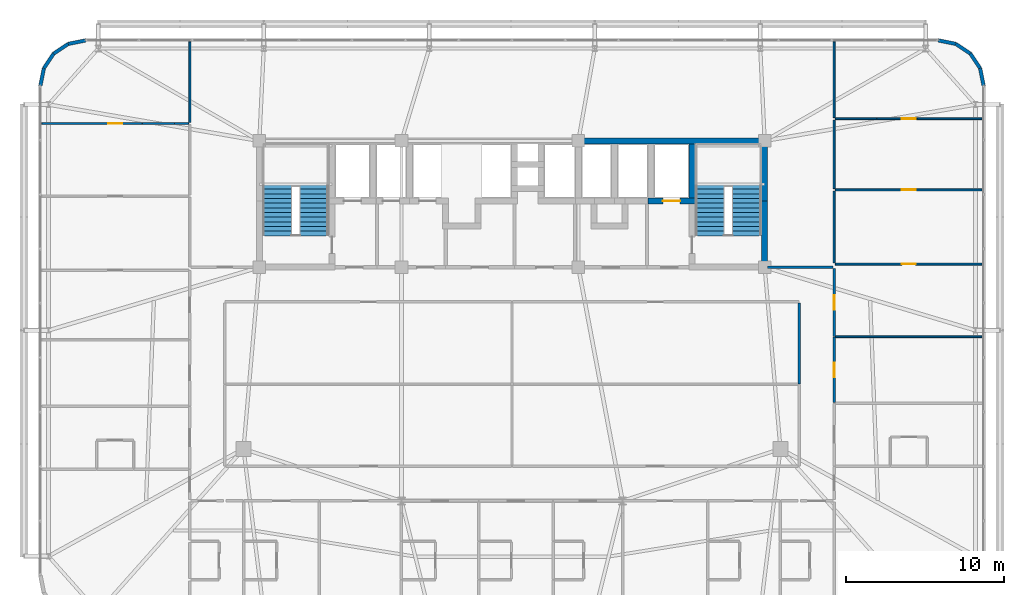
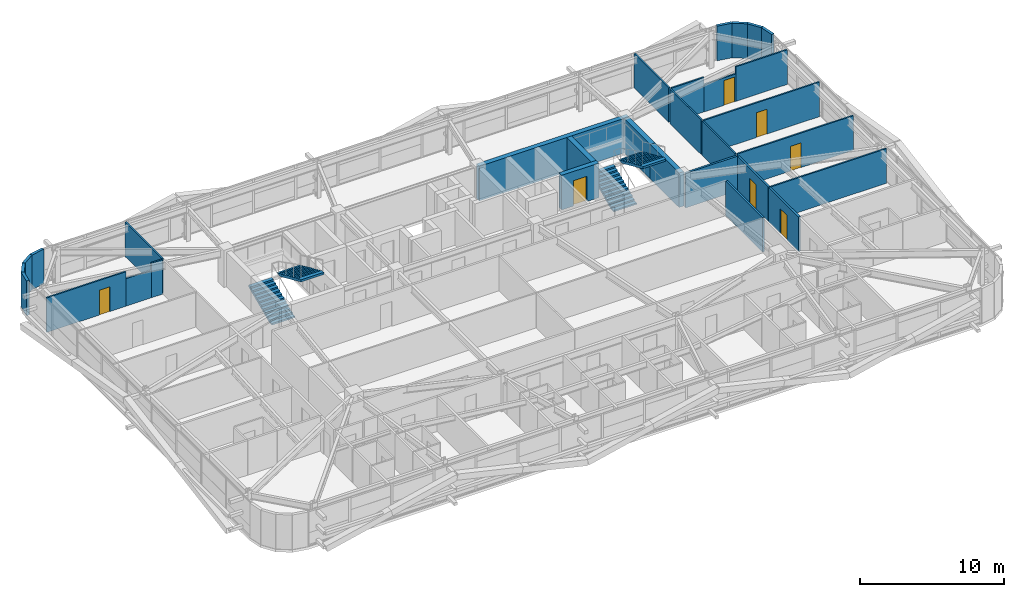
# One storey, part 56 of 59: 30 walls, 7 doors, 4 stair flights, 7 openings, 2 elements without a shape of their own.
"""IFC4 building model written with IfcOpenShell, lengths in metres."""

from ifc_helpers import new_model, si_unit, direction, frame, frame_2d, origin, place, context, subcontext, project, spatial, polyline, rectangle, outline, extrude, source, transform, mapped, material, layer, layer_set, type_object, element, fill, aggregate, save


model = new_model("IFC4")

# Units and contexts
model_context = context("Model", 3, precision=1e-05, world=origin(), true_north=direction((0.0, 1.0)))
body_context = subcontext(model_context, "Body", "Model", "MODEL_VIEW")
ifc_project = project(units=[si_unit("LENGTHUNIT", "METRE"), si_unit("AREAUNIT", "SQUARE_METRE"), si_unit("VOLUMEUNIT", "CUBIC_METRE"), si_unit("PLANEANGLEUNIT", "RADIAN"), si_unit("MASSUNIT", "GRAM", prefix="KILO")], contexts=[model_context])

# Site, building, storey
site_placement = place(None, origin())
site = spatial("IfcSite", under=ifc_project, at=site_placement, CompositionType="ELEMENT")
building_placement = place(site_placement, origin())
building = spatial("IfcBuilding", under=site, at=building_placement, Name="Taldren Reach Tower", CompositionType="ELEMENT")
storey_placement = place(building_placement, frame((0.0, 0.0, 23.10009765625)))
storey = spatial("IfcBuildingStorey", under=building, at=storey_placement, Name="L06", CompositionType="ELEMENT", Elevation=23.10009765625)

# Walls
ifc_material_1 = material(Name="Pale Champagne Anodised Aluminium Cladding", Category="aluminium")
ifc_layer_1 = layer(ifc_material_1, 0.04, Name="Pale Champagne Anodised Aluminium Cladding", Category="aluminium")
ifc_material_2 = material(Name="Mineral Wool Acoustic Insulation", Category="insulation")
ifc_layer_2 = layer(ifc_material_2, 0.06, Name="Mineral Wool Acoustic Insulation", Category="insulation")
ifc_material_3 = material(Name="Steel Gr 350 (C350L0)", Category="steel")
ifc_layer_3 = layer(ifc_material_3, 0.12, Name="Steel Gr 350 (C350L0)", Category="steel")
ifc_layer_set_1 = layer_set([ifc_layer_1, ifc_layer_2, ifc_layer_3], Name="Pale Champagne Aluminium Cladding and Steel Gr 350 Stud Framing")
wall_type_1 = type_object("IfcWallType", Name="EW-CRN-220", PredefinedType="SOLIDWALL", material=ifc_layer_set_1)
shared_shape_1 = source(origin(), body_context, "Body", "SweptSolid", [
    extrude(rectangle(XDim=1.115966796875, YDim=0.219970703125, at=frame_2d((0.55810546875, 0.0))), origin(), (0.0, 0.0, 1.0), 2.929931640625),
])
for number, where, z_axis, x_axis, name in (
    (1, (64.860107421875, 35.5, 0.0), (0.0, 0.0, 1.0), (-0.195148375659, 0.98077373103, 0.0), "Rounded-corner pale-metal facade wall L06-NE1"),
    (2, (64.642333984375, 36.594482421875, 0.0), (0.0, 0.0, 1.0), (-0.555709556774, 0.83137650226, 0.0), "Rounded-corner pale-metal facade wall L06-NE2"),
    (3, (64.022216796875, 37.522216796875, 0.0), (0.0, 0.0, 1.0), (-0.83137650226, 0.555709556774, 0.0), "Rounded-corner pale-metal facade wall L06-NE3"),
    (4, (63.094482421875, 38.142333984375, 0.0), (0.0, 0.0, 1.0), (-0.98077373103, 0.195148375659, 0.0), "Rounded-corner pale-metal facade wall L06-NE4"),
    (5, (8.0, 38.360107421875, 0.0), (0.0, 0.0, 1.0), (-0.98077373103, -0.195148375659, 0.0), "Rounded-corner pale-metal facade wall L06-NW1"),
    (6, (6.905517578125, 38.142333984375, 0.0), (0.0, 0.0, 1.0), (-0.83137650226, -0.555709556774, 0.0), "Rounded-corner pale-metal facade wall L06-NW2"),
    (7, (5.977783203125, 37.522216796875, 0.0), (0.0, 0.0, 1.0), (-0.555709556774, -0.83137650226, 0.0), "Rounded-corner pale-metal facade wall L06-NW3"),
    (8, (5.357666015625, 36.594482421875, 0.0), (0.0, 0.0, 1.0), (-0.195148375659, -0.98077373103, 0.0), "Rounded-corner pale-metal facade wall L06-NW4"),
):
    element("IfcWall", number, at=place(storey_placement, frame(where, z_axis=z_axis, x_axis=x_axis)), inside=storey, type_object=wall_type_1, Name=name, PredefinedType="SOLIDWALL", context=body_context, shape_type="MappedRepresentation", body=[
        mapped(shared_shape_1, transform((0.0, 0.0, 0.0), scale=1.0)),
    ])
ifc_material_4 = material(Name="Concrete S80 (80 MPa)", Category="concrete")
ifc_layer_4 = layer(ifc_material_4, 0.3798828125)
ifc_layer_set_2 = layer_set([ifc_layer_4], Name="Concrete S80 (80 MPa)")
wall_type_2 = type_object("IfcWallType", Name="IW-CORE-380", PredefinedType="SHEAR", material=ifc_layer_set_2)
shared_shape_2 = source(origin(), body_context, "Body", "SweptSolid", [
    extrude(rectangle(XDim=11.989990234375, YDim=0.3798828125, at=frame_2d((5.9951171875, 0.0))), origin(), (0.0, 0.0, 1.0), 2.929931640625),
])
wall_1_placement = place(storey_placement, frame((39.199951171875, 32.0, 0.0), z_axis=(0.0, 0.0, 1.0), x_axis=(1.0, 0.0, 0.0)))
element("IfcWall", 9, at=wall_1_placement, inside=storey, type_object=wall_type_2, Name="Rear Core Shear Wall W-CORE-L06-NORTH3", PredefinedType="SHEAR", context=body_context, shape_type="MappedRepresentation", body=[
    mapped(shared_shape_2, transform((0.0, 0.0, 0.0), scale=1.0)),
])
shared_shape_3 = source(origin(), body_context, "Body", "SweptSolid", [
    extrude(rectangle(XDim=4.010009765625, YDim=0.3798828125, at=frame_2d((2.0048828125, 0.0))), origin(), (0.0, 0.0, 1.0), 2.929931640625),
])
wall_2_placement = place(storey_placement, frame((51.0, 24.18994140625, 0.0), z_axis=(0.0, 0.0, 1.0), x_axis=(0.0, 1.0, 0.0)))
element("IfcWall", 10, at=wall_2_placement, inside=storey, type_object=wall_type_2, Name="Rear Core Shear Wall W-CORE-L06-EAST1", PredefinedType="SHEAR", context=body_context, shape_type="MappedRepresentation", body=[
    mapped(shared_shape_3, transform((0.0, 0.0, 0.0), scale=1.0)),
])
shared_shape_4 = source(origin(), body_context, "Body", "SweptSolid", [
    extrude(rectangle(XDim=3.610107421875, YDim=0.3798828125, at=frame_2d((1.80517578125, 0.0))), origin(), (0.0, 0.0, 1.0), 2.929931640625),
])
wall_3_placement = place(storey_placement, frame((51.0, 28.199951171875, 0.0), z_axis=(0.0, 0.0, 1.0), x_axis=(0.0, 1.0, 0.0)))
element("IfcWall", 11, at=wall_3_placement, inside=storey, type_object=wall_type_2, Name="Rear Core Shear Wall W-CORE-L06-EAST2", PredefinedType="SHEAR", context=body_context, shape_type="MappedRepresentation", body=[
    mapped(shared_shape_4, transform((0.0, 0.0, 0.0), scale=1.0)),
])
shared_shape_5 = source(origin(), body_context, "Body", "SweptSolid", [
    extrude(rectangle(XDim=3.420166015625, YDim=0.3798828125, at=frame_2d((1.7099609375, 0.0))), origin(), (0.0, 0.0, 1.0), 2.929931640625),
])
wall_4_placement = place(storey_placement, frame((46.39990234375, 31.81005859375, 0.0), z_axis=(0.0, 0.0, 1.0), x_axis=(0.0, -1.0, 0.0)))
element("IfcWall", 12, at=wall_4_placement, inside=storey, type_object=wall_type_2, Name="Rear Core Shear Wall W-INT-L06-008", PredefinedType="SHEAR", context=body_context, shape_type="MappedRepresentation", body=[
    mapped(shared_shape_5, transform((0.0, 0.0, 0.0), scale=1.0)),
])

# Wall, opening, door
shared_shape_6 = source(origin(), body_context, "Body", "SweptSolid", [
    extrude(rectangle(XDim=2.97998046875, YDim=0.3798828125, at=frame_2d((1.489990234375, 0.0))), origin(), (0.0, 0.0, 1.0), 2.929931640625),
])
wall_5_placement = place(storey_placement, frame((43.610107421875, 28.199951171875, 0.0), z_axis=(0.0, 0.0, 1.0), x_axis=(1.0, 0.0, 0.0)))
wall_5 = element("IfcWall", 13, at=wall_5_placement, inside=storey, type_object=wall_type_2, Name="Rear Core Shear Wall W-INT-L06-011", PredefinedType="SHEAR", context=body_context, shape_type="MappedRepresentation", body=[
    mapped(shared_shape_6, transform((0.0, 0.0, 0.0), scale=1.0)),
])
shared_shape_7 = source(origin(), body_context, "Body", "SweptSolid", [
    extrude(rectangle(XDim=1.10009765625, YDim=2.14990234375, at=frame_2d((0.550048828125, 1.074951171875))), frame((0.0, 0.199951171875, 0.0), z_axis=(0.0, -1.0, 0.0), x_axis=(1.0, 0.0, 0.0)), (0.0, 0.0, 1.0), 0.39990234375),
])
opening_1_placement = place(wall_5_placement, frame((0.93994140625, 0.0, 0.0)))
opening_1 = element("IfcOpeningElement", 14, at=opening_1_placement, cuts=wall_5, Name="Opening LD-FL2", PredefinedType="OPENING", context=body_context, shape_type="MappedRepresentation", body=[
    mapped(shared_shape_7, transform((0.0, 0.0, 0.0), scale=1.0)),
])
ifc_material_5 = material(Name="Stainless Steel Gr 316 Emergency Lift Landing Door", Category="steel")
door_type_1 = type_object("IfcDoorType", Name="LD-EMG-110", OperationType="SLIDING_TO_LEFT", PredefinedType="DOOR", material=ifc_material_5)
shared_shape_8 = source(origin(), body_context, "Body", "SweptSolid", [
    extrude(rectangle(XDim=1.10009765625, YDim=2.14990234375, at=frame_2d((0.550048828125, 1.074951171875))), frame((0.0, 0.02490234375, 0.0), z_axis=(0.0, -1.0, 0.0), x_axis=(1.0, 0.0, 0.0)), (0.0, 0.0, 1.0), 0.050048828125),
])
door_1_placement = place(opening_1_placement, origin())
door_1 = element("IfcDoor", 15, at=door_1_placement, inside=storey, type_object=door_type_1, Name="Lift Landing Door LD-FL2-L06", OperationType="SLIDING_TO_LEFT", OverallHeight=2.14990234375, OverallWidth=1.10009765625, PredefinedType="DOOR", context=body_context, shape_type="MappedRepresentation", body=[
    mapped(shared_shape_8, transform((0.0, 0.0, 0.0), scale=1.0)),
])
fill(opening_1, door_1)

# Walls
ifc_material_6 = material(Name="Fire-Rated Acoustic Plasterboard Stud Wall", Category="gypsum")
ifc_layer_5 = layer(ifc_material_6, 0.159912109375)
ifc_layer_set_3 = layer_set([ifc_layer_5], Name="Fire-Rated Acoustic Plasterboard Stud Wall")
wall_type_3 = type_object("IfcWallType", Name="IW-FIRE-160", PredefinedType="PARTITIONING", material=ifc_layer_set_3)
shared_shape_9 = source(origin(), body_context, "Body", "SweptSolid", [
    extrude(rectangle(XDim=4.130126953125, YDim=0.159912109375, at=frame_2d((2.06494140625, 0.0))), origin(), (0.0, 0.0, 1.0), 2.929931640625),
])
wall_6_placement = place(storey_placement, frame((51.18994140625, 24.0, 0.0), z_axis=(0.0, 0.0, 1.0), x_axis=(1.0, 0.0, 0.0)))
element("IfcWall", 16, at=wall_6_placement, inside=storey, type_object=wall_type_3, Name="Interior Partition Wall W-INT-L06-064", PredefinedType="PARTITIONING", context=body_context, shape_type="MappedRepresentation", body=[
    mapped(shared_shape_9, transform((0.0, 0.0, 0.0), scale=1.0)),
])
shared_shape_10 = source(origin(), body_context, "Body", "SweptSolid", [
    extrude(rectangle(XDim=5.099853515625, YDim=0.159912109375, at=frame_2d((2.5498046875, 0.0))), origin(), (0.0, 0.0, 1.0), 2.929931640625),
])
wall_7_placement = place(storey_placement, frame((53.199951171875, 16.6201171875, 0.0), z_axis=(0.0, 0.0, 1.0), x_axis=(0.0, 1.0, 0.0)))
element("IfcWall", 17, at=wall_7_placement, inside=storey, type_object=wall_type_3, Name="Interior Partition Wall W-INT-L06-052", PredefinedType="PARTITIONING", context=body_context, shape_type="MappedRepresentation", body=[
    mapped(shared_shape_10, transform((0.0, 0.0, 0.0), scale=1.0)),
])

# Wall, opening, door
shared_shape_11 = source(origin(), body_context, "Body", "SweptSolid", [
    extrude(rectangle(XDim=4.15966796875, YDim=0.159912109375, at=frame_2d((2.079833984375, 0.0))), origin(), (0.0, 0.0, 1.0), 2.929931640625),
])
wall_8_placement = place(storey_placement, frame((55.39990234375, 19.579833984375, 0.0), z_axis=(0.0, 0.0, 1.0), x_axis=(0.0, -1.0, 0.0)))
wall_8 = element("IfcWall", 18, at=wall_8_placement, inside=storey, type_object=wall_type_3, Name="Interior Partition Wall W-INT-L06-061", PredefinedType="PARTITIONING", context=body_context, shape_type="MappedRepresentation", body=[
    mapped(shared_shape_11, transform((0.0, 0.0, 0.0), scale=1.0)),
])
shared_shape_12 = source(origin(), body_context, "Body", "SweptSolid", [
    extrude(rectangle(XDim=0.919921875, YDim=2.10009765625, at=frame_2d((0.4599609375, 1.050048828125))), frame((0.0, 0.08984375, 0.0), z_axis=(0.0, -1.0, 0.0), x_axis=(1.0, 0.0, 0.0)), (0.0, 0.0, 1.0), 0.179931640625),
])
opening_2_placement = place(wall_8_placement, frame((1.619873046875, 0.0, 0.0)))
opening_2 = element("IfcOpeningElement", 19, at=opening_2_placement, cuts=wall_8, Name="Opening DI-092", PredefinedType="OPENING", context=body_context, shape_type="MappedRepresentation", body=[
    mapped(shared_shape_12, transform((0.0, 0.0, 0.0), scale=1.0)),
])
ifc_material_7 = material(Name="Solid-Core Timber Suite Door", Category="wood")
door_type_2 = type_object("IfcDoorType", Name="ID-INT-092", OperationType="NOTDEFINED", PredefinedType="DOOR", material=ifc_material_7)
shared_shape_13 = source(origin(), body_context, "Body", "SweptSolid", [
    extrude(rectangle(XDim=0.919921875, YDim=2.10009765625, at=frame_2d((0.4599609375, 1.050048828125))), frame((0.0, 0.02490234375, 0.0), z_axis=(0.0, -1.0, 0.0), x_axis=(1.0, 0.0, 0.0)), (0.0, 0.0, 1.0), 0.050048828125),
])
door_2_placement = place(opening_2_placement, origin())
door_2 = element("IfcDoor", 20, at=door_2_placement, inside=storey, type_object=door_type_2, Name="Interior Door DR-L06-019", OperationType="SINGLE_SWING_RIGHT", OverallHeight=2.10009765625, OverallWidth=0.919921875, PredefinedType="DOOR", context=body_context, shape_type="MappedRepresentation", body=[
    mapped(shared_shape_13, transform((0.0, 0.0, 0.0), scale=1.0)),
])
fill(opening_2, door_2)

shared_shape_14 = source(origin(), body_context, "Body", "SweptSolid", [
    extrude(rectangle(XDim=4.2998046875, YDim=0.159912109375, at=frame_2d((2.14990234375, 0.0))), origin(), (0.0, 0.0, 1.0), 2.929931640625),
])
wall_9_placement = place(storey_placement, frame((55.39990234375, 23.919921875, 0.0), z_axis=(0.0, 0.0, 1.0), x_axis=(0.0, -1.0, 0.0)))
wall_9 = element("IfcWall", 21, at=wall_9_placement, inside=storey, type_object=wall_type_3, Name="Interior Partition Wall W-INT-L06-062", PredefinedType="PARTITIONING", context=body_context, shape_type="MappedRepresentation", body=[
    mapped(shared_shape_14, transform((0.0, 0.0, 0.0), scale=1.0)),
])
opening_3_placement = place(wall_9_placement, frame((1.68994140625, 0.0, 0.0)))
opening_3 = element("IfcOpeningElement", 22, at=opening_3_placement, cuts=wall_9, Name="Opening DI-092", PredefinedType="OPENING", context=body_context, shape_type="MappedRepresentation", body=[
    mapped(shared_shape_12, transform((0.0, 0.0, 0.0), scale=1.0)),
])
door_3_placement = place(opening_3_placement, origin())
door_3 = element("IfcDoor", 23, at=door_3_placement, inside=storey, type_object=door_type_2, Name="Interior Door DR-L06-020", OperationType="SINGLE_SWING_LEFT", OverallHeight=2.10009765625, OverallWidth=0.919921875, PredefinedType="DOOR", context=body_context, shape_type="MappedRepresentation", body=[
    mapped(shared_shape_13, transform((0.0, 0.0, 0.0), scale=1.0)),
])
fill(opening_3, door_3)

# Wall
ifc_material_8 = material(Name="Insulated Residential Stud Partition", Category="gypsum")
ifc_layer_6 = layer(ifc_material_8, 0.1201171875)
ifc_layer_set_4 = layer_set([ifc_layer_6], Name="Insulated Residential Stud Partition")
wall_type_4 = type_object("IfcWallType", Name="IW-PART-120", PredefinedType="PARTITIONING", material=ifc_layer_set_4)
shared_shape_15 = source(origin(), body_context, "Body", "SweptSolid", [
    extrude(rectangle(XDim=9.2900390625, YDim=0.1201171875, at=frame_2d((4.64501953125, 0.0))), origin(), (0.0, 0.0, 1.0), 2.929931640625),
])
wall_10_placement = place(storey_placement, frame((55.47998046875, 19.60009765625, 0.0), z_axis=(0.0, 0.0, 1.0), x_axis=(1.0, 0.0, 0.0)))
element("IfcWall", 24, at=wall_10_placement, inside=storey, type_object=wall_type_4, Name="Interior Partition Wall W-INT-L06-146", PredefinedType="PARTITIONING", context=body_context, shape_type="MappedRepresentation", body=[
    mapped(shared_shape_15, transform((0.0, 0.0, 0.0), scale=1.0)),
])

# Wall, opening, door
wall_11_placement = place(storey_placement, frame((55.47998046875, 24.199951171875, 0.0), z_axis=(0.0, 0.0, 1.0), x_axis=(1.0, 0.0, 0.0)))
wall_11 = element("IfcWall", 25, at=wall_11_placement, inside=storey, type_object=wall_type_4, Name="Interior Partition Wall W-INT-L06-147", PredefinedType="PARTITIONING", context=body_context, shape_type="MappedRepresentation", body=[
    mapped(shared_shape_15, transform((0.0, 0.0, 0.0), scale=1.0)),
])
shared_shape_16 = source(origin(), body_context, "Body", "SweptSolid", [
    extrude(rectangle(XDim=0.860107421875, YDim=2.10009765625, at=frame_2d((0.43017578125, 1.050048828125))), frame((0.0, 0.070068359375, 0.0), z_axis=(0.0, -1.0, 0.0), x_axis=(1.0, 0.0, 0.0)), (0.0, 0.0, 1.0), 0.14013671875),
])
opening_4_placement = place(wall_11_placement, frame((4.215087890625, 0.0, 0.0)))
opening_4 = element("IfcOpeningElement", 26, at=opening_4_placement, cuts=wall_11, Name="Opening DI-086", PredefinedType="OPENING", context=body_context, shape_type="MappedRepresentation", body=[
    mapped(shared_shape_16, transform((0.0, 0.0, 0.0), scale=1.0)),
])
ifc_material_9 = material(Name="Timber Bathroom Door", Category="wood")
door_type_3 = type_object("IfcDoorType", Name="ID-INT-086", OperationType="NOTDEFINED", PredefinedType="DOOR", material=ifc_material_9)
shared_shape_17 = source(origin(), body_context, "Body", "SweptSolid", [
    extrude(rectangle(XDim=0.860107421875, YDim=2.10009765625, at=frame_2d((0.43017578125, 1.050048828125))), frame((0.0, 0.02490234375, 0.0), z_axis=(0.0, -1.0, 0.0), x_axis=(1.0, 0.0, 0.0)), (0.0, 0.0, 1.0), 0.050048828125),
])
door_4_placement = place(opening_4_placement, frame((0.860107421875, 0.0, 0.0), z_axis=(0.0, 0.0, 1.0), x_axis=(-1.0, 0.0, 0.0)))
door_4 = element("IfcDoor", 27, at=door_4_placement, inside=storey, type_object=door_type_3, Name="Interior Door DR-L06-043", OperationType="SINGLE_SWING_LEFT", OverallHeight=2.10009765625, OverallWidth=0.860107421875, PredefinedType="DOOR", context=body_context, shape_type="MappedRepresentation", body=[
    mapped(shared_shape_17, transform((0.0, 0.0, 0.0), scale=1.0)),
])
fill(opening_4, door_4)

wall_12_placement = place(storey_placement, frame((55.47998046875, 28.89990234375, 0.0), z_axis=(0.0, 0.0, 1.0), x_axis=(1.0, 0.0, 0.0)))
wall_12 = element("IfcWall", 28, at=wall_12_placement, inside=storey, type_object=wall_type_4, Name="Interior Partition Wall W-INT-L06-148", PredefinedType="PARTITIONING", context=body_context, shape_type="MappedRepresentation", body=[
    mapped(shared_shape_15, transform((0.0, 0.0, 0.0), scale=1.0)),
])
opening_5_placement = place(wall_12_placement, frame((4.215087890625, 0.0, 0.0)))
opening_5 = element("IfcOpeningElement", 29, at=opening_5_placement, cuts=wall_12, Name="Opening DI-086", PredefinedType="OPENING", context=body_context, shape_type="MappedRepresentation", body=[
    mapped(shared_shape_16, transform((0.0, 0.0, 0.0), scale=1.0)),
])
door_5_placement = place(opening_5_placement, origin())
door_5 = element("IfcDoor", 30, at=door_5_placement, inside=storey, type_object=door_type_3, Name="Interior Door DR-L06-044", OperationType="SINGLE_SWING_LEFT", OverallHeight=2.10009765625, OverallWidth=0.860107421875, PredefinedType="DOOR", context=body_context, shape_type="MappedRepresentation", body=[
    mapped(shared_shape_17, transform((0.0, 0.0, 0.0), scale=1.0)),
])
fill(opening_5, door_5)

shared_shape_18 = source(origin(), body_context, "Body", "SweptSolid", [
    extrude(rectangle(XDim=6.365478515625, YDim=0.1201171875, at=frame_2d((3.1826171875, 0.0))), origin(), (0.0, 0.0, 1.0), 2.929931640625),
])
wall_13_placement = place(storey_placement, frame((5.22998046875, 33.10009765625, 0.0), z_axis=(0.0, 0.0, 1.0), x_axis=(1.0, 0.0, 0.0)))
wall_13 = element("IfcWall", 31, at=wall_13_placement, inside=storey, type_object=wall_type_4, Name="Interior Partition Wall W-INT-L06-136", PredefinedType="PARTITIONING", context=body_context, shape_type="MappedRepresentation", body=[
    mapped(shared_shape_18, transform((0.0, 0.0, 0.0), scale=1.0)),
])
opening_6_placement = place(wall_13_placement, frame((4.215087890625, 0.0, 0.0)))
opening_6 = element("IfcOpeningElement", 32, at=opening_6_placement, cuts=wall_13, Name="Opening DI-086", PredefinedType="OPENING", context=body_context, shape_type="MappedRepresentation", body=[
    mapped(shared_shape_16, transform((0.0, 0.0, 0.0), scale=1.0)),
])
door_6_placement = place(opening_6_placement, frame((0.860107421875, 0.0, 0.0), z_axis=(0.0, 0.0, 1.0), x_axis=(-1.0, 0.0, 0.0)))
door_6 = element("IfcDoor", 33, at=door_6_placement, inside=storey, type_object=door_type_3, Name="Interior Door DR-L06-042", OperationType="SINGLE_SWING_RIGHT", OverallHeight=2.10009765625, OverallWidth=0.860107421875, PredefinedType="DOOR", context=body_context, shape_type="MappedRepresentation", body=[
    mapped(shared_shape_17, transform((0.0, 0.0, 0.0), scale=1.0)),
])
fill(opening_6, door_6)

# Walls
shared_shape_19 = source(origin(), body_context, "Body", "SweptSolid", [
    extrude(rectangle(XDim=0.885009765625, YDim=0.1201171875, at=frame_2d((0.4423828125, 0.0))), origin(), (0.0, 0.0, 1.0), 2.929931640625),
])
wall_14_placement = place(storey_placement, frame((13.635009765625, 33.10009765625, 0.0), z_axis=(0.0, 0.0, 1.0), x_axis=(1.0, 0.0, 0.0)))
element("IfcWall", 34, at=wall_14_placement, inside=storey, type_object=wall_type_4, Name="Interior Partition Wall W-INT-L06-136 part 3", PredefinedType="PARTITIONING", context=body_context, shape_type="MappedRepresentation", body=[
    mapped(shared_shape_19, transform((0.0, 0.0, 0.0), scale=1.0)),
])
shared_shape_20 = source(origin(), body_context, "Body", "SweptSolid", [
    extrude(rectangle(XDim=5.090087890625, YDim=0.1201171875, at=frame_2d((2.544921875, 0.0))), origin(), (0.0, 0.0, 1.0), 2.929931640625),
])
wall_15_placement = place(storey_placement, frame((14.60009765625, 38.27001953125, 0.0), z_axis=(0.0, 0.0, 1.0), x_axis=(0.0, -1.0, 0.0)))
element("IfcWall", 35, at=wall_15_placement, inside=storey, type_object=wall_type_4, Name="Interior Partition Wall W-INT-L06-138", PredefinedType="PARTITIONING", context=body_context, shape_type="MappedRepresentation", body=[
    mapped(shared_shape_20, transform((0.0, 0.0, 0.0), scale=1.0)),
])
shared_shape_21 = source(origin(), body_context, "Body", "SweptSolid", [
    extrude(rectangle(XDim=4.5400390625, YDim=0.1201171875, at=frame_2d((2.27001953125, 0.0))), origin(), (0.0, 0.0, 1.0), 2.929931640625),
])
wall_16_placement = place(storey_placement, frame((55.39990234375, 24.280029296875, 0.0), z_axis=(0.0, 0.0, 1.0), x_axis=(0.0, 1.0, 0.0)))
element("IfcWall", 36, at=wall_16_placement, inside=storey, type_object=wall_type_4, Name="Interior Partition Wall W-INT-L06-149", PredefinedType="PARTITIONING", context=body_context, shape_type="MappedRepresentation", body=[
    mapped(shared_shape_21, transform((0.0, 0.0, 0.0), scale=1.0)),
])
shared_shape_22 = source(origin(), body_context, "Body", "SweptSolid", [
    extrude(rectangle(XDim=2.62646484375, YDim=0.1201171875, at=frame_2d((1.313232421875, 0.0))), origin(), (0.0, 0.0, 1.0), 2.929931640625),
])
wall_17_placement = place(storey_placement, frame((55.47998046875, 33.39990234375, 0.0), z_axis=(0.0, 0.0, 1.0), x_axis=(1.0, 0.0, 0.0)))
element("IfcWall", 37, at=wall_17_placement, inside=storey, type_object=wall_type_4, Name="Interior Partition Wall W-INT-L06-150", PredefinedType="PARTITIONING", context=body_context, shape_type="MappedRepresentation", body=[
    mapped(shared_shape_22, transform((0.0, 0.0, 0.0), scale=1.0)),
])
shared_shape_23 = source(origin(), body_context, "Body", "SweptSolid", [
    extrude(rectangle(XDim=4.114990234375, YDim=0.1201171875, at=frame_2d((2.0576171875, 0.0))), origin(), (0.0, 0.0, 1.0), 2.929931640625),
])
wall_18_placement = place(storey_placement, frame((60.655029296875, 33.39990234375, 0.0), z_axis=(0.0, 0.0, 1.0), x_axis=(1.0, 0.0, 0.0)))
element("IfcWall", 38, at=wall_18_placement, inside=storey, type_object=wall_type_4, Name="Interior Partition Wall W-INT-L06-150 part 3", PredefinedType="PARTITIONING", context=body_context, shape_type="MappedRepresentation", body=[
    mapped(shared_shape_23, transform((0.0, 0.0, 0.0), scale=1.0)),
])
shared_shape_24 = source(origin(), body_context, "Body", "SweptSolid", [
    extrude(rectangle(XDim=4.340087890625, YDim=0.1201171875, at=frame_2d((2.169921875, 0.0))), origin(), (0.0, 0.0, 1.0), 2.929931640625),
])
wall_19_placement = place(storey_placement, frame((55.39990234375, 28.97998046875, 0.0), z_axis=(0.0, 0.0, 1.0), x_axis=(0.0, 1.0, 0.0)))
element("IfcWall", 39, at=wall_19_placement, inside=storey, type_object=wall_type_4, Name="Interior Partition Wall W-INT-L06-151", PredefinedType="PARTITIONING", context=body_context, shape_type="MappedRepresentation", body=[
    mapped(shared_shape_24, transform((0.0, 0.0, 0.0), scale=1.0)),
])
shared_shape_25 = source(origin(), body_context, "Body", "SweptSolid", [
    extrude(rectangle(XDim=4.7900390625, YDim=0.1201171875, at=frame_2d((2.39501953125, 0.0))), origin(), (0.0, 0.0, 1.0), 2.929931640625),
])
wall_20_placement = place(storey_placement, frame((55.39990234375, 33.47998046875, 0.0), z_axis=(0.0, 0.0, 1.0), x_axis=(0.0, 1.0, 0.0)))
element("IfcWall", 40, at=wall_20_placement, inside=storey, type_object=wall_type_4, Name="Interior Partition Wall W-INT-L06-152", PredefinedType="PARTITIONING", context=body_context, shape_type="MappedRepresentation", body=[
    mapped(shared_shape_25, transform((0.0, 0.0, 0.0), scale=1.0)),
])
shared_shape_26 = source(origin(), body_context, "Body", "SweptSolid", [
    extrude(rectangle(XDim=2.03955078125, YDim=0.1201171875, at=frame_2d((1.019775390625, 0.0))), origin(), (0.0, 0.0, 1.0), 2.327880859375),
])
wall_21_placement = place(storey_placement, frame((11.595458984375, 33.10009765625, 0.0), z_axis=(0.0, 0.0, 1.0), x_axis=(1.0, 0.0, 0.0)))
element("IfcWall", 41, at=wall_21_placement, inside=storey, type_object=wall_type_4, Name="Interior Partition Wall W-INT-L06-136 part 2", PredefinedType="PARTITIONING", context=body_context, shape_type="MappedRepresentation", body=[
    mapped(shared_shape_26, transform((0.0, 0.0, 0.0), scale=1.0)),
])

# Wall, opening, door
shared_shape_27 = source(origin(), body_context, "Body", "SweptSolid", [
    extrude(rectangle(XDim=2.548583984375, YDim=0.1201171875, at=frame_2d((1.2744140625, 0.0))), origin(), (0.0, 0.0, 1.0), 2.327880859375),
])
wall_22_placement = place(storey_placement, frame((58.1064453125, 33.39990234375, 0.0), z_axis=(0.0, 0.0, 1.0), x_axis=(1.0, 0.0, 0.0)))
wall_22 = element("IfcWall", 42, at=wall_22_placement, inside=storey, type_object=wall_type_4, Name="Interior Partition Wall W-INT-L06-150 part 2", PredefinedType="PARTITIONING", context=body_context, shape_type="MappedRepresentation", body=[
    mapped(shared_shape_27, transform((0.0, 0.0, 0.0), scale=1.0)),
])
opening_7_placement = place(wall_22_placement, frame((1.588623046875, 0.0, 0.0)))
opening_7 = element("IfcOpeningElement", 43, at=opening_7_placement, cuts=wall_22, Name="Opening DI-086", PredefinedType="OPENING", context=body_context, shape_type="MappedRepresentation", body=[
    mapped(shared_shape_16, transform((0.0, 0.0, 0.0), scale=1.0)),
])
door_7_placement = place(opening_7_placement, frame((0.860107421875, 0.0, 0.0), z_axis=(0.0, 0.0, 1.0), x_axis=(-1.0, 0.0, 0.0)))
door_7 = element("IfcDoor", 44, at=door_7_placement, inside=storey, type_object=door_type_3, Name="Interior Door DR-L06-045", OperationType="SINGLE_SWING_LEFT", OverallHeight=2.10009765625, OverallWidth=0.860107421875, PredefinedType="DOOR", context=body_context, shape_type="MappedRepresentation", body=[
    mapped(shared_shape_17, transform((0.0, 0.0, 0.0), scale=1.0)),
])
fill(opening_7, door_7)

# Stair, stair flights
ifc_material_10 = material(Name="Concrete S50 (50 MPa)", Category="concrete")
stair_type = type_object("IfcStairType", Name="ST-HT-315", PredefinedType="HALF_TURN_STAIR", material=ifc_material_10)
stair_1_placement = place(storey_placement, origin())
stair_1 = element("IfcStair", 45, at=stair_1_placement, inside=storey, type_object=stair_type, Name="Fire-isolated exit stair ST1 L06", PredefinedType="HALF_TURN_STAIR")
stair_flight_type = type_object("IfcStairFlightType", Name="SF-STR-315", PredefinedType="STRAIGHT", material=ifc_material_10)
stair_flight_1_placement = place(storey_placement, frame((20.139892578125, 25.989990234375, 0.0), z_axis=(0.0, 0.0, 1.0), x_axis=(0.0, 1.0, 0.0)))
stair_flight_1 = element("IfcStairFlight", 46, at=stair_flight_1_placement, type_object=stair_flight_type, Name="ST1 flight 1", NumberOfRisers=12, NumberOfTreads=11, PredefinedType="STRAIGHT", RiserHeight=0.13125, TreadLength=0.295, context=body_context, shape_type="SweptSolid", body=[
    extrude(outline(polyline([(0.0, 0.0), (0.0, 0.13134765625), (0.294921875, 0.13134765625), (0.294921875, 0.262451171875), (0.590087890625, 0.262451171875), (0.590087890625, 0.393798828125), (0.885009765625, 0.393798828125), (0.885009765625, 0.52490234375), (1.179931640625, 0.52490234375), (1.179931640625, 0.65625), (1.47509765625, 0.65625), (1.47509765625, 0.78759765625), (1.77001953125, 0.78759765625), (1.77001953125, 0.918701171875), (2.06494140625, 0.918701171875), (2.06494140625, 1.050048828125), (2.360107421875, 1.050048828125), (2.360107421875, 1.18115234375), (2.655029296875, 1.18115234375), (2.655029296875, 1.3125), (2.949951171875, 1.3125), (2.949951171875, 1.44384765625), (3.2451171875, 1.44384765625), (3.2451171875, 1.574951171875), (3.2451171875, 1.268798828125), (0.393310546875, 0.0), (0.0, 0.0)])), frame((0.0, 0.919921875, 0.0), z_axis=(0.0, -1.0, 0.0), x_axis=(1.0, 0.0, 0.0)), (0.0, 0.0, 1.0), 1.840087890625),
])
stair_flight_2_placement = place(storey_placement, frame((22.4599609375, 29.235107421875, 1.574951171875), z_axis=(0.0, 0.0, 1.0), x_axis=(0.0, -1.0, 0.0)))
stair_flight_2 = element("IfcStairFlight", 47, at=stair_flight_2_placement, type_object=stair_flight_type, Name="ST1 flight 2", NumberOfRisers=12, NumberOfTreads=11, PredefinedType="STRAIGHT", RiserHeight=0.13125, TreadLength=0.295, context=body_context, shape_type="SweptSolid", body=[
    extrude(outline(polyline([(0.0, 0.0), (0.0, 0.13134765625), (0.294921875, 0.13134765625), (0.294921875, 0.262451171875), (0.590087890625, 0.262451171875), (0.590087890625, 0.393798828125), (0.885009765625, 0.393798828125), (0.885009765625, 0.52490234375), (1.179931640625, 0.52490234375), (1.179931640625, 0.65625), (1.47509765625, 0.65625), (1.47509765625, 0.78759765625), (1.77001953125, 0.78759765625), (1.77001953125, 0.918701171875), (2.06494140625, 0.918701171875), (2.06494140625, 1.050048828125), (2.360107421875, 1.050048828125), (2.360107421875, 1.18115234375), (2.655029296875, 1.18115234375), (2.655029296875, 1.3125), (2.949951171875, 1.3125), (2.949951171875, 1.44384765625), (3.2451171875, 1.44384765625), (3.2451171875, 1.574951171875), (3.2451171875, 1.268798828125), (0.393310546875, 0.0), (0.0, 0.0)])), frame((0.0, 0.919921875, 0.0), z_axis=(0.0, -1.0, 0.0), x_axis=(1.0, 0.0, 0.0)), (0.0, 0.0, 1.0), 1.840087890625),
])
aggregate(stair_1, [stair_flight_1, stair_flight_2])

stair_2_placement = place(storey_placement, origin())
stair_2 = element("IfcStair", 48, at=stair_2_placement, inside=storey, type_object=stair_type, Name="Fire-isolated exit stair ST2 L06", PredefinedType="HALF_TURN_STAIR")
stair_flight_3_placement = place(storey_placement, frame((47.5400390625, 25.989990234375, 0.0), z_axis=(0.0, 0.0, 1.0), x_axis=(0.0, 1.0, 0.0)))
stair_flight_3 = element("IfcStairFlight", 49, at=stair_flight_3_placement, type_object=stair_flight_type, Name="ST2 flight 1", NumberOfRisers=12, NumberOfTreads=11, PredefinedType="STRAIGHT", RiserHeight=0.13125, TreadLength=0.295, context=body_context, shape_type="SweptSolid", body=[
    extrude(outline(polyline([(0.0, 0.0), (0.0, 0.13134765625), (0.294921875, 0.13134765625), (0.294921875, 0.262451171875), (0.590087890625, 0.262451171875), (0.590087890625, 0.393798828125), (0.885009765625, 0.393798828125), (0.885009765625, 0.52490234375), (1.179931640625, 0.52490234375), (1.179931640625, 0.65625), (1.47509765625, 0.65625), (1.47509765625, 0.78759765625), (1.77001953125, 0.78759765625), (1.77001953125, 0.918701171875), (2.06494140625, 0.918701171875), (2.06494140625, 1.050048828125), (2.360107421875, 1.050048828125), (2.360107421875, 1.18115234375), (2.655029296875, 1.18115234375), (2.655029296875, 1.3125), (2.949951171875, 1.3125), (2.949951171875, 1.44384765625), (3.2451171875, 1.44384765625), (3.2451171875, 1.574951171875), (3.2451171875, 1.268798828125), (0.393310546875, 0.0), (0.0, 0.0)])), frame((0.0, 0.919921875, 0.0), z_axis=(0.0, -1.0, 0.0), x_axis=(1.0, 0.0, 0.0)), (0.0, 0.0, 1.0), 1.840087890625),
])
stair_flight_4_placement = place(storey_placement, frame((49.860107421875, 29.235107421875, 1.574951171875), z_axis=(0.0, 0.0, 1.0), x_axis=(0.0, -1.0, 0.0)))
stair_flight_4 = element("IfcStairFlight", 50, at=stair_flight_4_placement, type_object=stair_flight_type, Name="ST2 flight 2", NumberOfRisers=12, NumberOfTreads=11, PredefinedType="STRAIGHT", RiserHeight=0.13125, TreadLength=0.295, context=body_context, shape_type="SweptSolid", body=[
    extrude(outline(polyline([(0.0, 0.0), (0.0, 0.13134765625), (0.294921875, 0.13134765625), (0.294921875, 0.262451171875), (0.590087890625, 0.262451171875), (0.590087890625, 0.393798828125), (0.885009765625, 0.393798828125), (0.885009765625, 0.52490234375), (1.179931640625, 0.52490234375), (1.179931640625, 0.65625), (1.47509765625, 0.65625), (1.47509765625, 0.78759765625), (1.77001953125, 0.78759765625), (1.77001953125, 0.918701171875), (2.06494140625, 0.918701171875), (2.06494140625, 1.050048828125), (2.360107421875, 1.050048828125), (2.360107421875, 1.18115234375), (2.655029296875, 1.18115234375), (2.655029296875, 1.3125), (2.949951171875, 1.3125), (2.949951171875, 1.44384765625), (3.2451171875, 1.44384765625), (3.2451171875, 1.574951171875), (3.2451171875, 1.268798828125), (0.393310546875, 0.0), (0.0, 0.0)])), frame((0.0, 0.919921875, 0.0), z_axis=(0.0, -1.0, 0.0), x_axis=(1.0, 0.0, 0.0)), (0.0, 0.0, 1.0), 1.840087890625),
])
aggregate(stair_2, [stair_flight_3, stair_flight_4])

save(model, "model.ifc")
